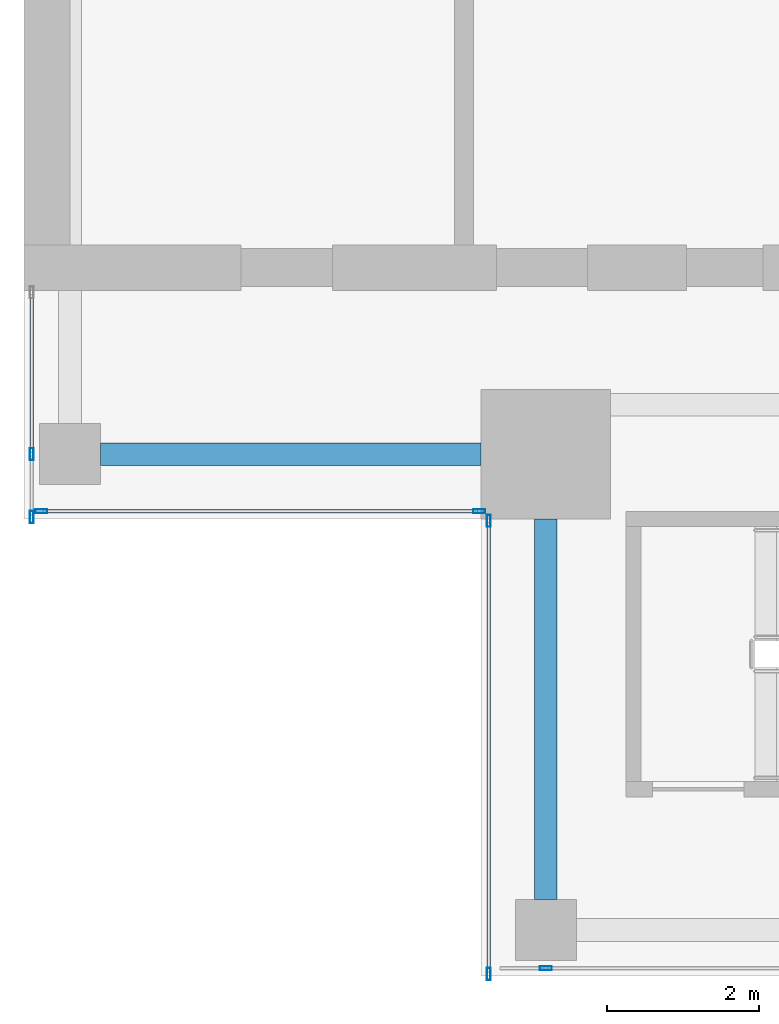
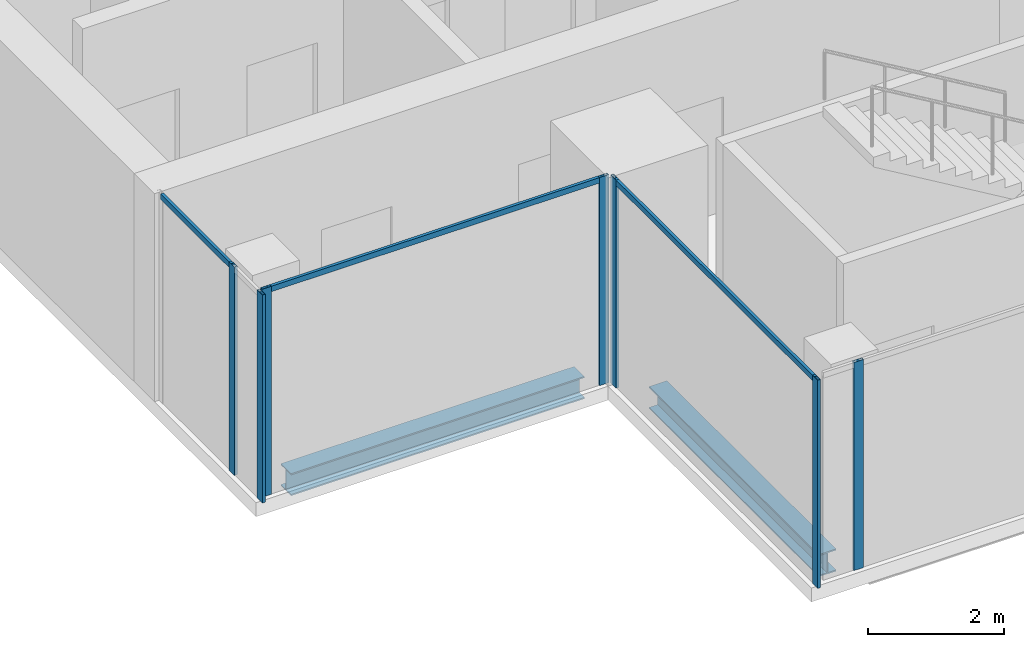
# One storey, part 2 of 29: 10 members, 2 beams, 4 elements without a shape of their own.
"""IFC4 building model written with IfcOpenShell, lengths in metres."""

from ifc_helpers import new_model, si_unit, direction, frame, origin, origin_2d, place, context, subcontext, project, spatial, hollow_rectangle, i_section, extrude, source, transform, mapped, material, material_profile, profile_set, type_object, element, aggregate, save


model = new_model("IFC4")

# Units and contexts
model_context = context("Model", 3, precision=1e-05, world=origin(), true_north=direction((0.0, 1.0)))
body_context = subcontext(model_context, "Body", "Model", "MODEL_VIEW")
ifc_project = project(units=[si_unit("LENGTHUNIT", "METRE"), si_unit("AREAUNIT", "SQUARE_METRE"), si_unit("VOLUMEUNIT", "CUBIC_METRE"), si_unit("PLANEANGLEUNIT", "RADIAN"), si_unit("MASSUNIT", "GRAM", prefix="KILO")], contexts=[model_context])

# Site, building, storey
site_placement = place(None, origin())
site = spatial("IfcSite", under=ifc_project, at=site_placement, CompositionType="ELEMENT")
building_placement = place(site_placement, origin())
building = spatial("IfcBuilding", under=site, at=building_placement, Name="Khomas Fold Tower", CompositionType="ELEMENT")
storey_placement = place(building_placement, frame((0.0, 0.0, 310.199951171875)))
storey = spatial("IfcBuildingStorey", under=building, at=storey_placement, Name="L70", CompositionType="ELEMENT", Elevation=310.199951171875)

# Beams
ifc_material_1 = material(Name="Steel S355", Category="steel")
ifc_material_profile_1 = material_profile(ifc_material_1, i_section(OverallWidth=0.300048828125, OverallDepth=0.39990234375, WebThickness=0.013427734375, FlangeThickness=0.02392578125, at=origin_2d()), Name="HE 400 B")
ifc_profile_set_1 = profile_set([ifc_material_profile_1], Name="Steel S355")
beam_type = type_object("IfcBeamType", Name="HE 400 B spandrel SB5", PredefinedType="SPANDREL", material=ifc_profile_set_1)
shared_shape_1 = source(origin(), body_context, "Body", "SweptSolid", [
    extrude(i_section(OverallWidth=0.300048828125, OverallDepth=0.39990234375, WebThickness=0.013427734375, FlangeThickness=0.02392578125, at=origin_2d()), origin(), (0.0, 0.0, 1.0), 5.0),
])
for number, where, z_axis, x_axis, name in (
    (1, (7.0, 12.85009765625, -0.449951171875), (1.0, 0.0, 0.0), (0.0, 1.0, 0.0), "SB5"),
    (2, (12.85009765625, 7.0, -0.449951171875), (0.0, 1.0, 0.0), (-1.0, 0.0, 0.0), "SB5"),
):
    element("IfcBeam", number, at=place(storey_placement, frame(where, z_axis=z_axis, x_axis=x_axis)), inside=storey, type_object=beam_type, Name=name, PredefinedType="SPANDREL", context=body_context, shape_type="MappedRepresentation", body=[
        mapped(shared_shape_1, transform((0.0, 0.0, 0.0))),
    ])

# Curtain wall, member
ifc_material_2 = material(Name="Aluminium framed double glazing", Category="aluminium")
curtain_wall_type = type_object("IfcCurtainWallType", Name="SK-Unitised clear-glass wall, upper floors CW3", PredefinedType="NOTDEFINED", material=ifc_material_2)
curtain_wall_1_placement = place(storey_placement, origin())
curtain_wall_1 = element("IfcCurtainWall", 3, at=curtain_wall_1_placement, inside=storey, type_object=curtain_wall_type, Name="CW3 run L70 00-0", PredefinedType="NOTDEFINED")
ifc_material_3 = material(Name="Aluminium", Category="aluminium")
ifc_material_profile_2 = material_profile(ifc_material_3, hollow_rectangle(XDim=0.050048828125, YDim=0.159912109375, WallThickness=0.00390625, at=origin_2d()), Name="SK-Unitised clear-glass wall, upper floors mullion CW3-M")
ifc_profile_set_2 = profile_set([ifc_material_profile_2], Name="Aluminium")
member_type_1 = type_object("IfcMemberType", Name="SK-Unitised clear-glass wall, upper floors mullion CW3-M", PredefinedType="MULLION", material=ifc_profile_set_2)
shared_shape_2 = source(origin(), body_context, "Body", "SweptSolid", [
    extrude(hollow_rectangle(XDim=0.050048828125, YDim=0.159912109375, WallThickness=0.00390625, at=origin_2d()), origin(), (0.0, 0.0, 1.0), 3.75),
])
member_1_placement = place(storey_placement, frame((12.85009765625, 6.10009765625, 0.0), z_axis=(0.0, 0.0, 1.0), x_axis=(0.0, 1.0, 0.0)))
member_1 = element("IfcMember", 4, at=member_1_placement, type_object=member_type_1, Name="CW3 mullion 2", PredefinedType="MULLION", context=body_context, shape_type="MappedRepresentation", body=[
    mapped(shared_shape_2, transform((0.0, 0.0, 0.0))),
])
aggregate(curtain_wall_1, [member_1])

# Curtain wall, members
curtain_wall_2_placement = place(storey_placement, origin())
curtain_wall_2 = element("IfcCurtainWall", 5, at=curtain_wall_2_placement, inside=storey, type_object=curtain_wall_type, Name="CW3 run L70 09-1", PredefinedType="NOTDEFINED")
member_2_placement = place(storey_placement, frame((6.10009765625, 12.85009765625, 0.0), z_axis=(0.0, 0.0, 1.0), x_axis=(1.0, 0.0, 0.0)))
member_2 = element("IfcMember", 6, at=member_2_placement, type_object=member_type_1, Name="CW3 mullion 2", PredefinedType="MULLION", context=body_context, shape_type="MappedRepresentation", body=[
    mapped(shared_shape_2, transform((0.0, 0.0, 0.0))),
])
member_3_placement = place(storey_placement, frame((6.10009765625, 12.02490234375, 0.0), z_axis=(0.0, 0.0, 1.0), x_axis=(1.0, 0.0, 0.0)))
member_3 = element("IfcMember", 7, at=member_3_placement, type_object=member_type_1, Name="CW3 mullion 3", PredefinedType="MULLION", context=body_context, shape_type="MappedRepresentation", body=[
    mapped(shared_shape_2, transform((0.0, 0.0, 0.0))),
])

curtain_wall_3_placement = place(storey_placement, origin())
curtain_wall_3 = element("IfcCurtainWall", 8, at=curtain_wall_3_placement, inside=storey, type_object=curtain_wall_type, Name="CW3 corner return L70 10", PredefinedType="NOTDEFINED")
member_4_placement = place(storey_placement, frame((6.22509765625, 12.10009765625, 0.0), z_axis=(0.0, 0.0, 1.0), x_axis=(0.0, 1.0, 0.0)))
member_4 = element("IfcMember", 9, at=member_4_placement, type_object=member_type_1, Name="CW3 mullion 1", PredefinedType="MULLION", context=body_context, shape_type="MappedRepresentation", body=[
    mapped(shared_shape_2, transform((0.0, 0.0, 0.0))),
])
member_5_placement = place(storey_placement, frame((11.97509765625, 12.10009765625, 0.0), z_axis=(0.0, 0.0, 1.0), x_axis=(0.0, 1.0, 0.0)))
member_5 = element("IfcMember", 10, at=member_5_placement, type_object=member_type_1, Name="CW3 mullion 2", PredefinedType="MULLION", context=body_context, shape_type="MappedRepresentation", body=[
    mapped(shared_shape_2, transform((0.0, 0.0, 0.0))),
])

curtain_wall_4_placement = place(storey_placement, origin())
curtain_wall_4 = element("IfcCurtainWall", 11, at=curtain_wall_4_placement, inside=storey, type_object=curtain_wall_type, Name="CW3 corner return L70 11", PredefinedType="NOTDEFINED")
member_6_placement = place(storey_placement, frame((12.10009765625, 11.97509765625, 0.0), z_axis=(0.0, 0.0, 1.0), x_axis=(1.0, 0.0, 0.0)))
member_6 = element("IfcMember", 12, at=member_6_placement, type_object=member_type_1, Name="CW3 mullion 1", PredefinedType="MULLION", context=body_context, shape_type="MappedRepresentation", body=[
    mapped(shared_shape_2, transform((0.0, 0.0, 0.0))),
])
member_7_placement = place(storey_placement, frame((12.10009765625, 6.02490234375, 0.0), z_axis=(0.0, 0.0, 1.0), x_axis=(1.0, 0.0, 0.0)))
member_7 = element("IfcMember", 13, at=member_7_placement, type_object=member_type_1, Name="CW3 mullion 2", PredefinedType="MULLION", context=body_context, shape_type="MappedRepresentation", body=[
    mapped(shared_shape_2, transform((0.0, 0.0, 0.0))),
])

# Member
ifc_material_4 = material(Name="Aluminium", Category="aluminium")
ifc_material_profile_3 = material_profile(ifc_material_4, hollow_rectangle(XDim=0.050048828125, YDim=0.10009765625, WallThickness=0.00390625, at=origin_2d()), Name="SK-Unitised clear-glass wall, upper floors transom CW3-T")
ifc_profile_set_3 = profile_set([ifc_material_profile_3], Name="Aluminium")
member_type_2 = type_object("IfcMemberType", Name="SK-Unitised clear-glass wall, upper floors transom CW3-T", PredefinedType="USERDEFINED", material=ifc_profile_set_3)
shared_shape_3 = source(origin(), body_context, "Body", "SweptSolid", [
    extrude(hollow_rectangle(XDim=0.050048828125, YDim=0.10009765625, WallThickness=0.00390625, at=origin_2d()), origin(), (0.0, 0.0, 1.0), 5.699951171875),
])
member_8_placement = place(storey_placement, frame((6.25, 12.10009765625, 3.699951171875), z_axis=(1.0, 0.0, 0.0), x_axis=(0.0, 1.0, 0.0)))
member_8 = element("IfcMember", 14, at=member_8_placement, type_object=member_type_2, Name="CW3 transom 1", ObjectType="TRANSOM", PredefinedType="USERDEFINED", context=body_context, shape_type="MappedRepresentation", body=[
    mapped(shared_shape_3, transform((0.0, 0.0, 0.0))),
])

aggregate(curtain_wall_3, [member_4, member_5, member_8])

shared_shape_4 = source(origin(), body_context, "Body", "SweptSolid", [
    extrude(hollow_rectangle(XDim=0.050048828125, YDim=0.10009765625, WallThickness=0.00390625, at=origin_2d()), origin(), (0.0, 0.0, 1.0), 5.89990234375),
])
member_9_placement = place(storey_placement, frame((12.10009765625, 11.949951171875, 3.699951171875), z_axis=(0.0, -1.0, 0.0), x_axis=(1.0, 0.0, 0.0)))
member_9 = element("IfcMember", 15, at=member_9_placement, type_object=member_type_2, Name="CW3 transom 1", ObjectType="TRANSOM", PredefinedType="USERDEFINED", context=body_context, shape_type="MappedRepresentation", body=[
    mapped(shared_shape_4, transform((0.0, 0.0, 0.0))),
])

aggregate(curtain_wall_4, [member_6, member_7, member_9])

shared_shape_5 = source(origin(), body_context, "Body", "SweptSolid", [
    extrude(hollow_rectangle(XDim=0.050048828125, YDim=0.10009765625, WallThickness=0.00390625, at=origin_2d()), origin(), (0.0, 0.0, 1.0), 2.074951171875),
])
member_10_placement = place(storey_placement, frame((6.10009765625, 14.949951171875, 3.699951171875), z_axis=(0.0, -1.0, 0.0), x_axis=(1.0, 0.0, 0.0)))
member_10 = element("IfcMember", 16, at=member_10_placement, type_object=member_type_2, Name="CW3 transom 1", ObjectType="TRANSOM", PredefinedType="USERDEFINED", context=body_context, shape_type="MappedRepresentation", body=[
    mapped(shared_shape_5, transform((0.0, 0.0, 0.0))),
])

aggregate(curtain_wall_2, [member_2, member_3, member_10])

save(model, "model.ifc")
